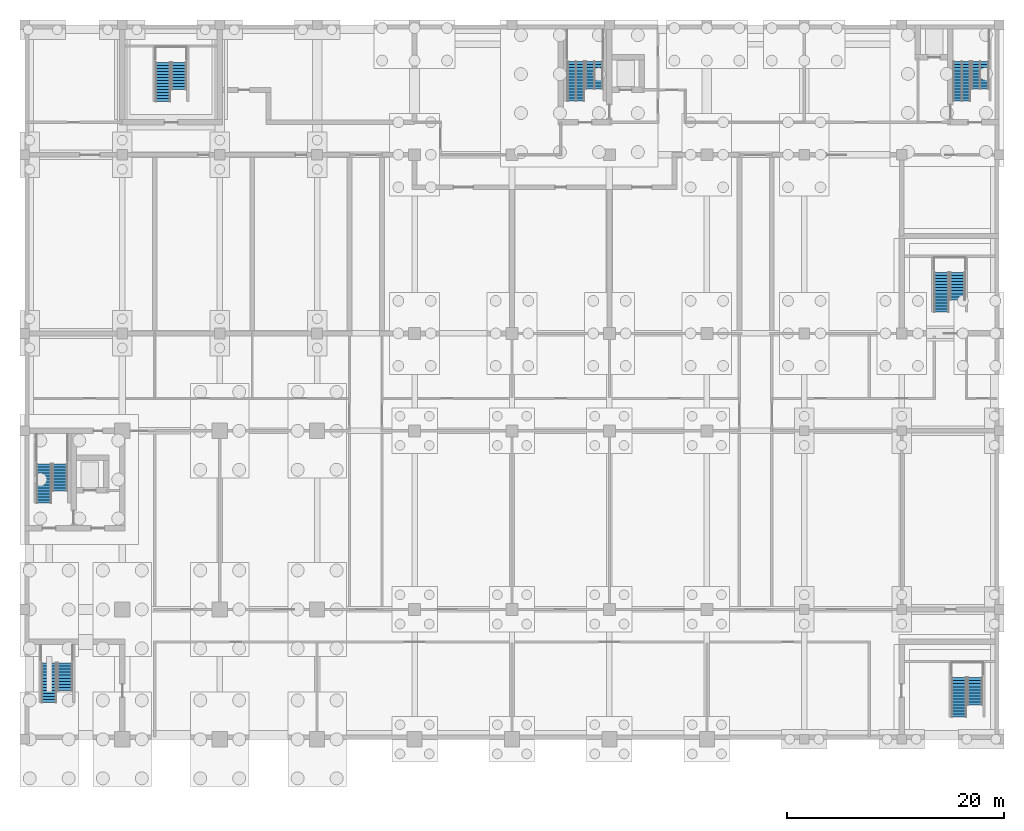
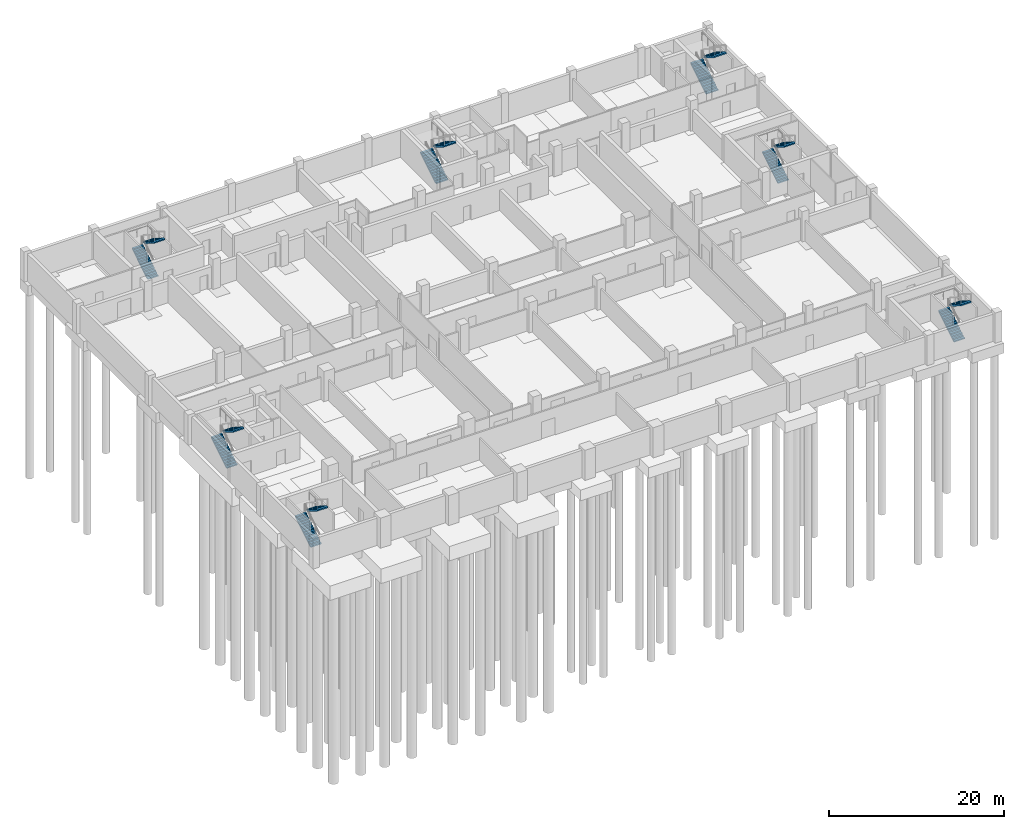
# One storey, part 11 of 15: 14 stair flights, 7 elements without a shape of their own.
"""IFC4 building model written with IfcOpenShell, lengths in metres."""

from ifc_helpers import new_model, si_unit, direction, frame, origin, place, context, subcontext, project, spatial, polyline, outline, extrude, material, type_object, element, aggregate, save


model = new_model("IFC4")

# Units and contexts
model_context = context("Model", 3, precision=1e-05, world=origin(), true_north=direction((0.0, 1.0)))
body_context = subcontext(model_context, "Body", "Model", "MODEL_VIEW")
ifc_project = project(units=[si_unit("LENGTHUNIT", "METRE"), si_unit("AREAUNIT", "SQUARE_METRE"), si_unit("VOLUMEUNIT", "CUBIC_METRE"), si_unit("PLANEANGLEUNIT", "RADIAN"), si_unit("MASSUNIT", "GRAM", prefix="KILO")], contexts=[model_context])

# Site, building, storey
site_placement = place(None, origin())
site = spatial("IfcSite", under=ifc_project, at=site_placement, CompositionType="ELEMENT")
building_placement = place(site_placement, origin())
building = spatial("IfcBuilding", under=site, at=building_placement, Name="Aurelan Courthouse", CompositionType="ELEMENT")
storey_placement = place(building_placement, frame((0.0, 0.0, -8.39990234375)))
storey = spatial("IfcBuildingStorey", under=building, at=storey_placement, Name="B2", CompositionType="ELEMENT", Elevation=-8.39990234375)

# Stair, stair flights
ifc_material = material(Name="Concrete C30", Category="concrete")
stair_type_1 = type_object("IfcStairType", Name="Half-turn stair 1400 wide 24 risers", PredefinedType="HALF_TURN_STAIR", material=ifc_material)
stair_1_placement = place(storey_placement, origin())
stair_1 = element("IfcStair", 1, at=stair_1_placement, inside=storey, type_object=stair_type_1, Name="Stair BS-1-B2", PredefinedType="HALF_TURN_STAIR")
stair_flight_type_1 = type_object("IfcStairFlightType", Name="Stair flight 1400 wide 14 risers", PredefinedType="STRAIGHT", material=ifc_material)
stair_flight_1_placement = place(storey_placement, frame((2.2099609375, 3.39990234375, 0.0), z_axis=(0.0, 0.0, 1.0), x_axis=(0.0, 1.0, 0.0)))
stair_flight_1 = element("IfcStairFlight", 2, at=stair_flight_1_placement, type_object=stair_flight_type_1, Name="Stair BS-1-B2 flight 1", NumberOfRisers=14, NumberOfTreads=13, PredefinedType="STRAIGHT", RiserHeight=0.175, TreadLength=0.28, context=body_context, shape_type="SweptSolid", body=[
    extrude(outline(polyline([(0.0, 0.0), (0.0, 0.175048828125), (0.280029296875, 0.175048828125), (0.280029296875, 0.35009765625), (0.56005859375, 0.35009765625), (0.56005859375, 0.52490234375), (0.840087890625, 0.52490234375), (0.840087890625, 0.699951171875), (1.1201171875, 0.699951171875), (1.1201171875, 0.875), (1.39990234375, 0.875), (1.39990234375, 1.050048828125), (1.679931640625, 1.050048828125), (1.679931640625, 1.22509765625), (1.9599609375, 1.22509765625), (1.9599609375, 1.39990234375), (2.239990234375, 1.39990234375), (2.239990234375, 1.574951171875), (2.52001953125, 1.574951171875), (2.52001953125, 1.75), (2.800048828125, 1.75), (2.800048828125, 1.925048828125), (3.080078125, 1.925048828125), (3.080078125, 2.10009765625), (3.360107421875, 2.10009765625), (3.360107421875, 2.27490234375), (3.639892578125, 2.27490234375), (3.639892578125, 2.449951171875), (3.639892578125, 2.09814453125), (0.28271484375, 0.0), (0.0, 0.0)])), frame((0.0, 0.699951171875, 0.0), z_axis=(0.0, -1.0, 0.0), x_axis=(1.0, 0.0, 0.0)), (0.0, 0.0, 1.0), 1.39990234375),
])
stair_flight_2_placement = place(storey_placement, frame((3.7099609375, 7.0400390625, 2.449951171875), z_axis=(0.0, 0.0, 1.0), x_axis=(0.0, -1.0, 0.0)))
stair_flight_2 = element("IfcStairFlight", 3, at=stair_flight_2_placement, type_object=stair_flight_type_1, Name="Stair BS-1-B2 flight 2", NumberOfRisers=10, NumberOfTreads=9, PredefinedType="STRAIGHT", RiserHeight=0.175, TreadLength=0.28, context=body_context, shape_type="SweptSolid", body=[
    extrude(outline(polyline([(0.0, 0.0), (0.0, 0.175048828125), (0.280029296875, 0.175048828125), (0.280029296875, 0.35009765625), (0.56005859375, 0.35009765625), (0.56005859375, 0.52490234375), (0.840087890625, 0.52490234375), (0.840087890625, 0.699951171875), (1.1201171875, 0.699951171875), (1.1201171875, 0.875), (1.39990234375, 0.875), (1.39990234375, 1.050048828125), (1.679931640625, 1.050048828125), (1.679931640625, 1.22509765625), (1.9599609375, 1.22509765625), (1.9599609375, 1.39990234375), (2.239990234375, 1.39990234375), (2.239990234375, 1.574951171875), (2.52001953125, 1.574951171875), (2.52001953125, 1.75), (2.52001953125, 1.398193359375), (0.28271484375, 0.0), (0.0, 0.0)])), frame((0.0, 0.699951171875, 0.0), z_axis=(0.0, -1.0, 0.0), x_axis=(1.0, 0.0, 0.0)), (0.0, 0.0, 1.0), 1.39990234375),
])
aggregate(stair_1, [stair_flight_1, stair_flight_2])

stair_2_placement = place(storey_placement, origin())
stair_2 = element("IfcStair", 4, at=stair_2_placement, inside=storey, type_object=stair_type_1, Name="Stair BS-2-B2", PredefinedType="HALF_TURN_STAIR")
stair_flight_3_placement = place(storey_placement, frame((86.2900390625, 2.054931640625, 0.0), z_axis=(0.0, 0.0, 1.0), x_axis=(0.0, 1.0, 0.0)))
stair_flight_3 = element("IfcStairFlight", 5, at=stair_flight_3_placement, type_object=stair_flight_type_1, Name="Stair BS-2-B2 flight 1", NumberOfRisers=14, NumberOfTreads=13, PredefinedType="STRAIGHT", RiserHeight=0.175, TreadLength=0.28, context=body_context, shape_type="SweptSolid", body=[
    extrude(outline(polyline([(0.0, 0.0), (0.0, 0.175048828125), (0.280029296875, 0.175048828125), (0.280029296875, 0.35009765625), (0.56005859375, 0.35009765625), (0.56005859375, 0.52490234375), (0.840087890625, 0.52490234375), (0.840087890625, 0.699951171875), (1.1201171875, 0.699951171875), (1.1201171875, 0.875), (1.39990234375, 0.875), (1.39990234375, 1.050048828125), (1.679931640625, 1.050048828125), (1.679931640625, 1.22509765625), (1.9599609375, 1.22509765625), (1.9599609375, 1.39990234375), (2.239990234375, 1.39990234375), (2.239990234375, 1.574951171875), (2.52001953125, 1.574951171875), (2.52001953125, 1.75), (2.800048828125, 1.75), (2.800048828125, 1.925048828125), (3.080078125, 1.925048828125), (3.080078125, 2.10009765625), (3.360107421875, 2.10009765625), (3.360107421875, 2.27490234375), (3.639892578125, 2.27490234375), (3.639892578125, 2.449951171875), (3.639892578125, 2.09814453125), (0.28271484375, 0.0), (0.0, 0.0)])), frame((0.0, 0.699951171875, 0.0), z_axis=(0.0, -1.0, 0.0), x_axis=(1.0, 0.0, 0.0)), (0.0, 0.0, 1.0), 1.39990234375),
])
stair_flight_4_placement = place(storey_placement, frame((87.7900390625, 5.695068359375, 2.449951171875), z_axis=(0.0, 0.0, 1.0), x_axis=(0.0, -1.0, 0.0)))
stair_flight_4 = element("IfcStairFlight", 6, at=stair_flight_4_placement, type_object=stair_flight_type_1, Name="Stair BS-2-B2 flight 2", NumberOfRisers=10, NumberOfTreads=9, PredefinedType="STRAIGHT", RiserHeight=0.175, TreadLength=0.28, context=body_context, shape_type="SweptSolid", body=[
    extrude(outline(polyline([(0.0, 0.0), (0.0, 0.175048828125), (0.280029296875, 0.175048828125), (0.280029296875, 0.35009765625), (0.56005859375, 0.35009765625), (0.56005859375, 0.52490234375), (0.840087890625, 0.52490234375), (0.840087890625, 0.699951171875), (1.1201171875, 0.699951171875), (1.1201171875, 0.875), (1.39990234375, 0.875), (1.39990234375, 1.050048828125), (1.679931640625, 1.050048828125), (1.679931640625, 1.22509765625), (1.9599609375, 1.22509765625), (1.9599609375, 1.39990234375), (2.239990234375, 1.39990234375), (2.239990234375, 1.574951171875), (2.52001953125, 1.574951171875), (2.52001953125, 1.75), (2.52001953125, 1.398193359375), (0.28271484375, 0.0), (0.0, 0.0)])), frame((0.0, 0.699951171875, 0.0), z_axis=(0.0, -1.0, 0.0), x_axis=(1.0, 0.0, 0.0)), (0.0, 0.0, 1.0), 1.39990234375),
])
aggregate(stair_2, [stair_flight_3, stair_flight_4])

stair_3_placement = place(storey_placement, origin())
stair_3 = element("IfcStair", 7, at=stair_3_placement, inside=storey, type_object=stair_type_1, Name="Stair BS-3-B2", PredefinedType="HALF_TURN_STAIR")
stair_flight_5_placement = place(storey_placement, frame((12.75, 58.905029296875, 0.0), z_axis=(0.0, 0.0, 1.0), x_axis=(0.0, 1.0, 0.0)))
stair_flight_5 = element("IfcStairFlight", 8, at=stair_flight_5_placement, type_object=stair_flight_type_1, Name="Stair BS-3-B2 flight 1", NumberOfRisers=14, NumberOfTreads=13, PredefinedType="STRAIGHT", RiserHeight=0.175, TreadLength=0.28, context=body_context, shape_type="SweptSolid", body=[
    extrude(outline(polyline([(0.0, 0.0), (0.0, 0.175048828125), (0.280029296875, 0.175048828125), (0.280029296875, 0.35009765625), (0.56005859375, 0.35009765625), (0.56005859375, 0.52490234375), (0.840087890625, 0.52490234375), (0.840087890625, 0.699951171875), (1.1201171875, 0.699951171875), (1.1201171875, 0.875), (1.39990234375, 0.875), (1.39990234375, 1.050048828125), (1.679931640625, 1.050048828125), (1.679931640625, 1.22509765625), (1.9599609375, 1.22509765625), (1.9599609375, 1.39990234375), (2.239990234375, 1.39990234375), (2.239990234375, 1.574951171875), (2.52001953125, 1.574951171875), (2.52001953125, 1.75), (2.800048828125, 1.75), (2.800048828125, 1.925048828125), (3.080078125, 1.925048828125), (3.080078125, 2.10009765625), (3.360107421875, 2.10009765625), (3.360107421875, 2.27490234375), (3.639892578125, 2.27490234375), (3.639892578125, 2.449951171875), (3.639892578125, 2.09814453125), (0.28271484375, 0.0), (0.0, 0.0)])), frame((0.0, 0.699951171875, 0.0), z_axis=(0.0, -1.0, 0.0), x_axis=(1.0, 0.0, 0.0)), (0.0, 0.0, 1.0), 1.39990234375),
])
stair_flight_6_placement = place(storey_placement, frame((14.25, 62.544921875, 2.449951171875), z_axis=(0.0, 0.0, 1.0), x_axis=(0.0, -1.0, 0.0)))
stair_flight_6 = element("IfcStairFlight", 9, at=stair_flight_6_placement, type_object=stair_flight_type_1, Name="Stair BS-3-B2 flight 2", NumberOfRisers=10, NumberOfTreads=9, PredefinedType="STRAIGHT", RiserHeight=0.175, TreadLength=0.28, context=body_context, shape_type="SweptSolid", body=[
    extrude(outline(polyline([(0.0, 0.0), (0.0, 0.175048828125), (0.280029296875, 0.175048828125), (0.280029296875, 0.35009765625), (0.56005859375, 0.35009765625), (0.56005859375, 0.52490234375), (0.840087890625, 0.52490234375), (0.840087890625, 0.699951171875), (1.1201171875, 0.699951171875), (1.1201171875, 0.875), (1.39990234375, 0.875), (1.39990234375, 1.050048828125), (1.679931640625, 1.050048828125), (1.679931640625, 1.22509765625), (1.9599609375, 1.22509765625), (1.9599609375, 1.39990234375), (2.239990234375, 1.39990234375), (2.239990234375, 1.574951171875), (2.52001953125, 1.574951171875), (2.52001953125, 1.75), (2.52001953125, 1.398193359375), (0.28271484375, 0.0), (0.0, 0.0)])), frame((0.0, 0.699951171875, 0.0), z_axis=(0.0, -1.0, 0.0), x_axis=(1.0, 0.0, 0.0)), (0.0, 0.0, 1.0), 1.39990234375),
])
aggregate(stair_3, [stair_flight_5, stair_flight_6])

stair_4_placement = place(storey_placement, origin())
stair_4 = element("IfcStair", 10, at=stair_4_placement, inside=storey, type_object=stair_type_1, Name="Stair BS-4-B2", PredefinedType="HALF_TURN_STAIR")
stair_flight_7_placement = place(storey_placement, frame((84.675048828125, 39.47998046875, 0.0), z_axis=(0.0, 0.0, 1.0), x_axis=(0.0, 1.0, 0.0)))
stair_flight_7 = element("IfcStairFlight", 11, at=stair_flight_7_placement, type_object=stair_flight_type_1, Name="Stair BS-4-B2 flight 1", NumberOfRisers=14, NumberOfTreads=13, PredefinedType="STRAIGHT", RiserHeight=0.175, TreadLength=0.28, context=body_context, shape_type="SweptSolid", body=[
    extrude(outline(polyline([(0.0, 0.0), (0.0, 0.175048828125), (0.280029296875, 0.175048828125), (0.280029296875, 0.35009765625), (0.56005859375, 0.35009765625), (0.56005859375, 0.52490234375), (0.840087890625, 0.52490234375), (0.840087890625, 0.699951171875), (1.1201171875, 0.699951171875), (1.1201171875, 0.875), (1.39990234375, 0.875), (1.39990234375, 1.050048828125), (1.679931640625, 1.050048828125), (1.679931640625, 1.22509765625), (1.9599609375, 1.22509765625), (1.9599609375, 1.39990234375), (2.239990234375, 1.39990234375), (2.239990234375, 1.574951171875), (2.52001953125, 1.574951171875), (2.52001953125, 1.75), (2.800048828125, 1.75), (2.800048828125, 1.925048828125), (3.080078125, 1.925048828125), (3.080078125, 2.10009765625), (3.360107421875, 2.10009765625), (3.360107421875, 2.27490234375), (3.639892578125, 2.27490234375), (3.639892578125, 2.449951171875), (3.639892578125, 2.09814453125), (0.28271484375, 0.0), (0.0, 0.0)])), frame((0.0, 0.699951171875, 0.0), z_axis=(0.0, -1.0, 0.0), x_axis=(1.0, 0.0, 0.0)), (0.0, 0.0, 1.0), 1.39990234375),
])
stair_flight_8_placement = place(storey_placement, frame((86.175048828125, 43.1201171875, 2.449951171875), z_axis=(0.0, 0.0, 1.0), x_axis=(0.0, -1.0, 0.0)))
stair_flight_8 = element("IfcStairFlight", 12, at=stair_flight_8_placement, type_object=stair_flight_type_1, Name="Stair BS-4-B2 flight 2", NumberOfRisers=10, NumberOfTreads=9, PredefinedType="STRAIGHT", RiserHeight=0.175, TreadLength=0.28, context=body_context, shape_type="SweptSolid", body=[
    extrude(outline(polyline([(0.0, 0.0), (0.0, 0.175048828125), (0.280029296875, 0.175048828125), (0.280029296875, 0.35009765625), (0.56005859375, 0.35009765625), (0.56005859375, 0.52490234375), (0.840087890625, 0.52490234375), (0.840087890625, 0.699951171875), (1.1201171875, 0.699951171875), (1.1201171875, 0.875), (1.39990234375, 0.875), (1.39990234375, 1.050048828125), (1.679931640625, 1.050048828125), (1.679931640625, 1.22509765625), (1.9599609375, 1.22509765625), (1.9599609375, 1.39990234375), (2.239990234375, 1.39990234375), (2.239990234375, 1.574951171875), (2.52001953125, 1.574951171875), (2.52001953125, 1.75), (2.52001953125, 1.398193359375), (0.28271484375, 0.0), (0.0, 0.0)])), frame((0.0, 0.699951171875, 0.0), z_axis=(0.0, -1.0, 0.0), x_axis=(1.0, 0.0, 0.0)), (0.0, 0.0, 1.0), 1.39990234375),
])
aggregate(stair_4, [stair_flight_7, stair_flight_8])

stair_5_placement = place(storey_placement, origin())
stair_5 = element("IfcStair", 13, at=stair_5_placement, inside=storey, type_object=stair_type_1, Name="Stair ST-5B-B2", PredefinedType="HALF_TURN_STAIR")
stair_flight_9_placement = place(storey_placement, frame((1.760009765625, 21.81005859375, 0.0), z_axis=(0.0, 0.0, 1.0), x_axis=(0.0, 1.0, 0.0)))
stair_flight_9 = element("IfcStairFlight", 14, at=stair_flight_9_placement, type_object=stair_flight_type_1, Name="Stair ST-5B-B2 flight 1", NumberOfRisers=14, NumberOfTreads=13, PredefinedType="STRAIGHT", RiserHeight=0.175, TreadLength=0.28, context=body_context, shape_type="SweptSolid", body=[
    extrude(outline(polyline([(0.0, 0.0), (0.0, 0.175048828125), (0.280029296875, 0.175048828125), (0.280029296875, 0.35009765625), (0.56005859375, 0.35009765625), (0.56005859375, 0.52490234375), (0.840087890625, 0.52490234375), (0.840087890625, 0.699951171875), (1.1201171875, 0.699951171875), (1.1201171875, 0.875), (1.39990234375, 0.875), (1.39990234375, 1.050048828125), (1.679931640625, 1.050048828125), (1.679931640625, 1.22509765625), (1.9599609375, 1.22509765625), (1.9599609375, 1.39990234375), (2.239990234375, 1.39990234375), (2.239990234375, 1.574951171875), (2.52001953125, 1.574951171875), (2.52001953125, 1.75), (2.800048828125, 1.75), (2.800048828125, 1.925048828125), (3.080078125, 1.925048828125), (3.080078125, 2.10009765625), (3.360107421875, 2.10009765625), (3.360107421875, 2.27490234375), (3.639892578125, 2.27490234375), (3.639892578125, 2.449951171875), (3.639892578125, 2.09814453125), (0.28271484375, 0.0), (0.0, 0.0)])), frame((0.0, 0.699951171875, 0.0), z_axis=(0.0, -1.0, 0.0), x_axis=(1.0, 0.0, 0.0)), (0.0, 0.0, 1.0), 1.39990234375),
])
stair_flight_10_placement = place(storey_placement, frame((3.260009765625, 25.449951171875, 2.449951171875), z_axis=(0.0, 0.0, 1.0), x_axis=(0.0, -1.0, 0.0)))
stair_flight_10 = element("IfcStairFlight", 15, at=stair_flight_10_placement, type_object=stair_flight_type_1, Name="Stair ST-5B-B2 flight 2", NumberOfRisers=10, NumberOfTreads=9, PredefinedType="STRAIGHT", RiserHeight=0.175, TreadLength=0.28, context=body_context, shape_type="SweptSolid", body=[
    extrude(outline(polyline([(0.0, 0.0), (0.0, 0.175048828125), (0.280029296875, 0.175048828125), (0.280029296875, 0.35009765625), (0.56005859375, 0.35009765625), (0.56005859375, 0.52490234375), (0.840087890625, 0.52490234375), (0.840087890625, 0.699951171875), (1.1201171875, 0.699951171875), (1.1201171875, 0.875), (1.39990234375, 0.875), (1.39990234375, 1.050048828125), (1.679931640625, 1.050048828125), (1.679931640625, 1.22509765625), (1.9599609375, 1.22509765625), (1.9599609375, 1.39990234375), (2.239990234375, 1.39990234375), (2.239990234375, 1.574951171875), (2.52001953125, 1.574951171875), (2.52001953125, 1.75), (2.52001953125, 1.398193359375), (0.28271484375, 0.0), (0.0, 0.0)])), frame((0.0, 0.699951171875, 0.0), z_axis=(0.0, -1.0, 0.0), x_axis=(1.0, 0.0, 0.0)), (0.0, 0.0, 1.0), 1.39990234375),
])
aggregate(stair_5, [stair_flight_9, stair_flight_10])

stair_type_2 = type_object("IfcStairType", Name="Half-turn stair 1600 wide 24 risers", PredefinedType="HALF_TURN_STAIR", material=ifc_material)
stair_6_placement = place(storey_placement, origin())
stair_6 = element("IfcStair", 16, at=stair_6_placement, inside=storey, type_object=stair_type_2, Name="Stair ST-2A-B2", PredefinedType="HALF_TURN_STAIR")
stair_flight_type_2 = type_object("IfcStairFlightType", Name="Stair flight 1600 wide 14 risers", PredefinedType="STRAIGHT", material=ifc_material)
stair_flight_11_placement = place(storey_placement, frame((50.89990234375, 58.9599609375, 0.0), z_axis=(0.0, 0.0, 1.0), x_axis=(0.0, 1.0, 0.0)))
stair_flight_11 = element("IfcStairFlight", 17, at=stair_flight_11_placement, type_object=stair_flight_type_2, Name="Stair ST-2A-B2 flight 1", NumberOfRisers=14, NumberOfTreads=13, PredefinedType="STRAIGHT", RiserHeight=0.175, TreadLength=0.28, context=body_context, shape_type="SweptSolid", body=[
    extrude(outline(polyline([(0.0, 0.0), (0.0, 0.175048828125), (0.280029296875, 0.175048828125), (0.280029296875, 0.35009765625), (0.56005859375, 0.35009765625), (0.56005859375, 0.52490234375), (0.840087890625, 0.52490234375), (0.840087890625, 0.699951171875), (1.1201171875, 0.699951171875), (1.1201171875, 0.875), (1.39990234375, 0.875), (1.39990234375, 1.050048828125), (1.679931640625, 1.050048828125), (1.679931640625, 1.22509765625), (1.9599609375, 1.22509765625), (1.9599609375, 1.39990234375), (2.239990234375, 1.39990234375), (2.239990234375, 1.574951171875), (2.52001953125, 1.574951171875), (2.52001953125, 1.75), (2.800048828125, 1.75), (2.800048828125, 1.925048828125), (3.080078125, 1.925048828125), (3.080078125, 2.10009765625), (3.360107421875, 2.10009765625), (3.360107421875, 2.27490234375), (3.639892578125, 2.27490234375), (3.639892578125, 2.449951171875), (3.639892578125, 2.09814453125), (0.28271484375, 0.0), (0.0, 0.0)])), frame((0.0, 0.800048828125, 0.0), z_axis=(0.0, -1.0, 0.0), x_axis=(1.0, 0.0, 0.0)), (0.0, 0.0, 1.0), 1.60009765625),
])
stair_flight_12_placement = place(storey_placement, frame((52.60009765625, 62.60009765625, 2.449951171875), z_axis=(0.0, 0.0, 1.0), x_axis=(0.0, -1.0, 0.0)))
stair_flight_12 = element("IfcStairFlight", 18, at=stair_flight_12_placement, type_object=stair_flight_type_2, Name="Stair ST-2A-B2 flight 2", NumberOfRisers=10, NumberOfTreads=9, PredefinedType="STRAIGHT", RiserHeight=0.175, TreadLength=0.28, context=body_context, shape_type="SweptSolid", body=[
    extrude(outline(polyline([(0.0, 0.0), (0.0, 0.175048828125), (0.280029296875, 0.175048828125), (0.280029296875, 0.35009765625), (0.56005859375, 0.35009765625), (0.56005859375, 0.52490234375), (0.840087890625, 0.52490234375), (0.840087890625, 0.699951171875), (1.1201171875, 0.699951171875), (1.1201171875, 0.875), (1.39990234375, 0.875), (1.39990234375, 1.050048828125), (1.679931640625, 1.050048828125), (1.679931640625, 1.22509765625), (1.9599609375, 1.22509765625), (1.9599609375, 1.39990234375), (2.239990234375, 1.39990234375), (2.239990234375, 1.574951171875), (2.52001953125, 1.574951171875), (2.52001953125, 1.75), (2.52001953125, 1.398193359375), (0.28271484375, 0.0), (0.0, 0.0)])), frame((0.0, 0.800048828125, 0.0), z_axis=(0.0, -1.0, 0.0), x_axis=(1.0, 0.0, 0.0)), (0.0, 0.0, 1.0), 1.60009765625),
])
aggregate(stair_6, [stair_flight_11, stair_flight_12])

stair_7_placement = place(storey_placement, origin())
stair_7 = element("IfcStair", 19, at=stair_7_placement, inside=storey, type_object=stair_type_2, Name="Stair ST-3B-B2", PredefinedType="HALF_TURN_STAIR")
stair_flight_13_placement = place(storey_placement, frame((86.550048828125, 58.9599609375, 0.0), z_axis=(0.0, 0.0, 1.0), x_axis=(0.0, 1.0, 0.0)))
stair_flight_13 = element("IfcStairFlight", 20, at=stair_flight_13_placement, type_object=stair_flight_type_2, Name="Stair ST-3B-B2 flight 1", NumberOfRisers=14, NumberOfTreads=13, PredefinedType="STRAIGHT", RiserHeight=0.175, TreadLength=0.28, context=body_context, shape_type="SweptSolid", body=[
    extrude(outline(polyline([(0.0, 0.0), (0.0, 0.175048828125), (0.280029296875, 0.175048828125), (0.280029296875, 0.35009765625), (0.56005859375, 0.35009765625), (0.56005859375, 0.52490234375), (0.840087890625, 0.52490234375), (0.840087890625, 0.699951171875), (1.1201171875, 0.699951171875), (1.1201171875, 0.875), (1.39990234375, 0.875), (1.39990234375, 1.050048828125), (1.679931640625, 1.050048828125), (1.679931640625, 1.22509765625), (1.9599609375, 1.22509765625), (1.9599609375, 1.39990234375), (2.239990234375, 1.39990234375), (2.239990234375, 1.574951171875), (2.52001953125, 1.574951171875), (2.52001953125, 1.75), (2.800048828125, 1.75), (2.800048828125, 1.925048828125), (3.080078125, 1.925048828125), (3.080078125, 2.10009765625), (3.360107421875, 2.10009765625), (3.360107421875, 2.27490234375), (3.639892578125, 2.27490234375), (3.639892578125, 2.449951171875), (3.639892578125, 2.09814453125), (0.28271484375, 0.0), (0.0, 0.0)])), frame((0.0, 0.800048828125, 0.0), z_axis=(0.0, -1.0, 0.0), x_axis=(1.0, 0.0, 0.0)), (0.0, 0.0, 1.0), 1.60009765625),
])
stair_flight_14_placement = place(storey_placement, frame((88.25, 62.60009765625, 2.449951171875), z_axis=(0.0, 0.0, 1.0), x_axis=(0.0, -1.0, 0.0)))
stair_flight_14 = element("IfcStairFlight", 21, at=stair_flight_14_placement, type_object=stair_flight_type_2, Name="Stair ST-3B-B2 flight 2", NumberOfRisers=10, NumberOfTreads=9, PredefinedType="STRAIGHT", RiserHeight=0.175, TreadLength=0.28, context=body_context, shape_type="SweptSolid", body=[
    extrude(outline(polyline([(0.0, 0.0), (0.0, 0.175048828125), (0.280029296875, 0.175048828125), (0.280029296875, 0.35009765625), (0.56005859375, 0.35009765625), (0.56005859375, 0.52490234375), (0.840087890625, 0.52490234375), (0.840087890625, 0.699951171875), (1.1201171875, 0.699951171875), (1.1201171875, 0.875), (1.39990234375, 0.875), (1.39990234375, 1.050048828125), (1.679931640625, 1.050048828125), (1.679931640625, 1.22509765625), (1.9599609375, 1.22509765625), (1.9599609375, 1.39990234375), (2.239990234375, 1.39990234375), (2.239990234375, 1.574951171875), (2.52001953125, 1.574951171875), (2.52001953125, 1.75), (2.52001953125, 1.398193359375), (0.28271484375, 0.0), (0.0, 0.0)])), frame((0.0, 0.800048828125, 0.0), z_axis=(0.0, -1.0, 0.0), x_axis=(1.0, 0.0, 0.0)), (0.0, 0.0, 1.0), 1.60009765625),
])
aggregate(stair_7, [stair_flight_13, stair_flight_14])

save(model, "model.ifc")
